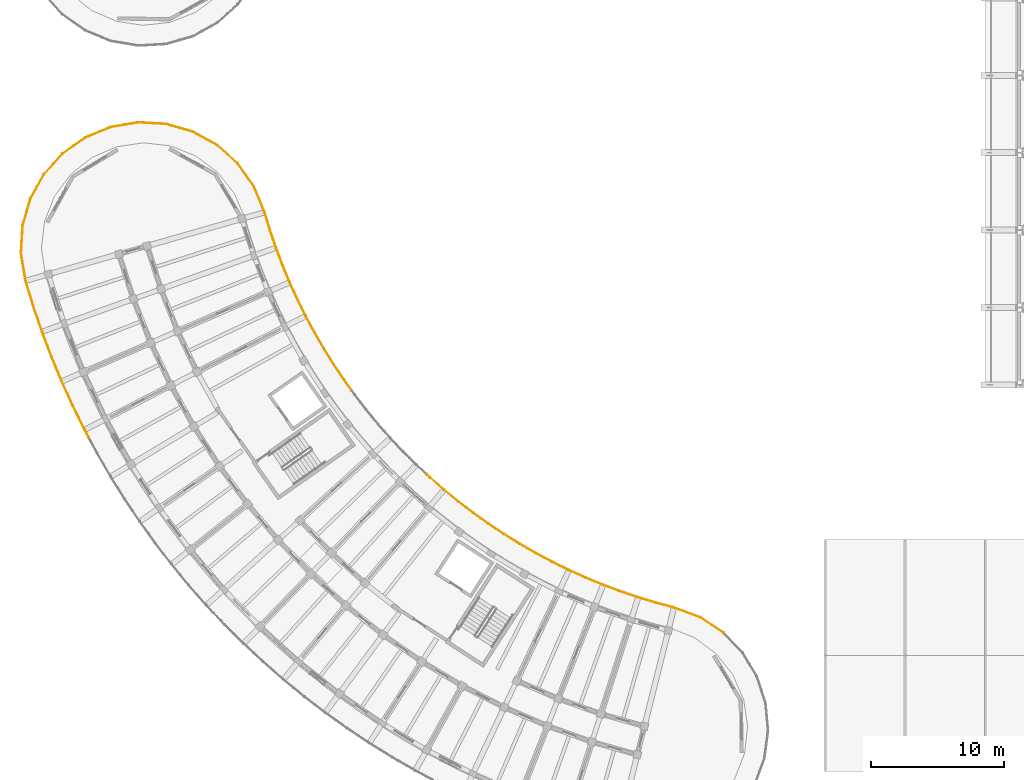
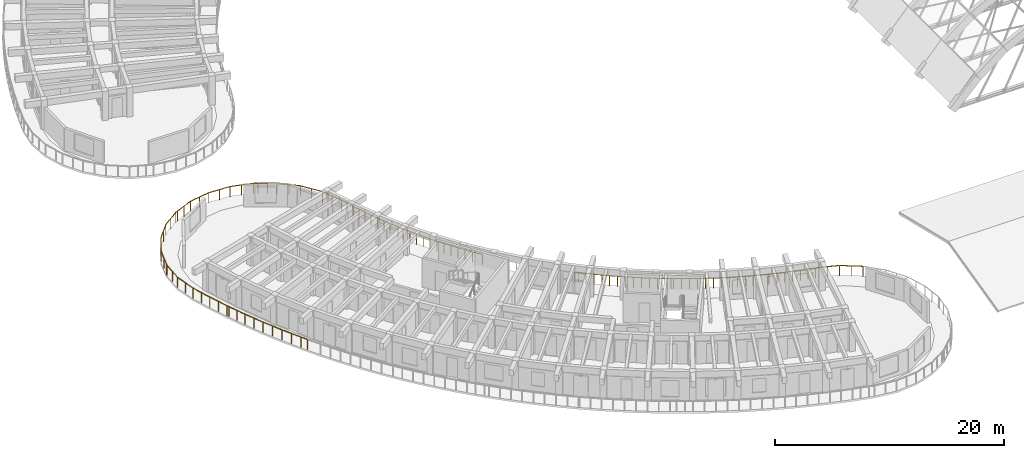
# One storey, part 68 of 81: 10 railings.
"""IFC4 building model written with IfcOpenShell, lengths in metres."""

from ifc_helpers import new_model, si_unit, direction, frame, origin, origin_2d, place, context, subcontext, project, spatial, circle, extrude, material, type_object, element, save


model = new_model("IFC4")

# Units and contexts
model_context = context("Model", 3, precision=1e-05, world=origin(), true_north=direction((0.0, 1.0)))
body_context = subcontext(model_context, "Body", "Model", "MODEL_VIEW")
ifc_project = project(units=[si_unit("LENGTHUNIT", "METRE"), si_unit("AREAUNIT", "SQUARE_METRE"), si_unit("VOLUMEUNIT", "CUBIC_METRE"), si_unit("PLANEANGLEUNIT", "RADIAN"), si_unit("MASSUNIT", "GRAM", prefix="KILO")], contexts=[model_context])

# Site, building, storey
site_placement = place(None, origin())
site = spatial("IfcSite", under=ifc_project, at=site_placement, CompositionType="ELEMENT")
building_placement = place(site_placement, origin())
building = spatial("IfcBuilding", under=site, at=building_placement, Name="Tanwirah Colonnade Gardens", CompositionType="ELEMENT")
storey_placement = place(building_placement, frame((0.0, 0.0, 8.840087890625)))
storey = spatial("IfcBuildingStorey", under=building, at=storey_placement, Name="L02", CompositionType="ELEMENT", Elevation=8.840087890625)

# Railings
ifc_material = material(Name="Precast concrete C40/50", Category="concrete")
railing_type = type_object("IfcRailingType", Name="BAL-EXT110", PredefinedType="BALUSTRADE", material=ifc_material)
railing_1_placement = place(storey_placement, frame((23.1767578125, 54.664794921875, 0.0)))
element("IfcRailing", 1, at=railing_1_placement, inside=storey, type_object=railing_type, Name="Block C L02 Balcony Ribbon Balustrade 1", PredefinedType="BALUSTRADE", context=body_context, shape_type="SweptSolid", body=[
    extrude(circle(Radius=0.02392578125, at=origin_2d()), frame((0.011962890625, -0.02880859375, 1.076171875), z_axis=(0.381489237895, -0.92437328032, 0.0), x_axis=(0.92437328032, 0.381489237895, 0.0)), (0.0, 0.0, 1.0), 2.029541015625),
    extrude(circle(Radius=0.02392578125, at=origin_2d()), frame((0.80712890625, -1.963623046875, 1.076171875), z_axis=(0.291308344694, -0.956629211509, 0.0), x_axis=(0.956629211509, 0.291308344694, 0.0)), (0.0, 0.0, 1.0), 1.327880859375),
    extrude(circle(Radius=0.02392578125, at=origin_2d()), frame((1.2138671875, -3.2958984375, 1.076171875), z_axis=(0.322420738552, -0.946596464895, 0.0), x_axis=(0.946596464895, 0.322420738552, 0.0)), (0.0, 0.0, 1.0), 1.33154296875),
    extrude(circle(Radius=0.02392578125, at=origin_2d()), frame((1.665283203125, -4.61767578125, 1.076171875), z_axis=(0.353291566317, -0.935513265095, 0.0), x_axis=(0.935513265095, 0.353291566317, 0.0)), (0.0, 0.0, 1.0), 1.331298828125),
    extrude(circle(Radius=0.02392578125, at=origin_2d()), frame((2.15966796875, -5.923583984375, 1.076171875), z_axis=(0.383707429873, -0.923454713703, 0.0), x_axis=(0.923454713703, 0.383707429873, 0.0)), (0.0, 0.0, 1.0), 1.33154296875),
    extrude(circle(Radius=0.02392578125, at=origin_2d()), frame((2.696533203125, -7.213134765625, 1.076171875), z_axis=(0.413892102149, -0.9103259459, 0.0), x_axis=(0.9103259459, 0.413892102149, 0.0)), (0.0, 0.0, 1.0), 0.7626953125),
    extrude(circle(Radius=0.02099609375, at=origin_2d()), origin(), (0.0, 0.0, 1.0), 1.049072265625),
    extrude(circle(Radius=0.02099609375, at=origin_2d()), frame((0.39892578125, -0.966796875, 0.0)), (0.0, 0.0, 1.0), 1.049072265625),
    extrude(circle(Radius=0.02099609375, at=origin_2d()), frame((0.798095703125, -1.933837890625, 0.0)), (0.0, 0.0, 1.0), 1.049072265625),
    extrude(circle(Radius=0.02099609375, at=origin_2d()), frame((1.00048828125, -2.598876953125, 0.0)), (0.0, 0.0, 1.0), 1.049072265625),
    extrude(circle(Radius=0.02099609375, at=origin_2d()), frame((1.203125, -3.263916015625, 0.0)), (0.0, 0.0, 1.0), 1.049072265625),
    extrude(circle(Radius=0.02099609375, at=origin_2d()), frame((1.4287109375, -3.92626953125, 0.0)), (0.0, 0.0, 1.0), 1.049072265625),
    extrude(circle(Radius=0.02099609375, at=origin_2d()), frame((1.6533203125, -4.5859375, 0.0)), (0.0, 0.0, 1.0), 1.049072265625),
    extrude(circle(Radius=0.02099609375, at=origin_2d()), frame((1.900390625, -5.240234375, 0.0)), (0.0, 0.0, 1.0), 1.049072265625),
    extrude(circle(Radius=0.02099609375, at=origin_2d()), frame((2.146728515625, -5.892333984375, 0.0)), (0.0, 0.0, 1.0), 1.049072265625),
    extrude(circle(Radius=0.02099609375, at=origin_2d()), frame((2.4150390625, -6.53857421875, 0.0)), (0.0, 0.0, 1.0), 1.049072265625),
    extrude(circle(Radius=0.02099609375, at=origin_2d()), frame((2.6826171875, -7.18212890625, 0.0)), (0.0, 0.0, 1.0), 1.049072265625),
    extrude(circle(Radius=0.02099609375, at=origin_2d()), frame((3.025146484375, -7.935791015625, 0.0)), (0.0, 0.0, 1.0), 1.049072265625),
])
railing_2_placement = place(storey_placement, frame((26.201904296875, 46.72900390625, 0.0)))
element("IfcRailing", 2, at=railing_2_placement, inside=storey, type_object=railing_type, Name="Block C L02 Balcony Ribbon Balustrade 2", PredefinedType="BALUSTRADE", context=body_context, shape_type="SweptSolid", body=[
    extrude(circle(Radius=0.02392578125, at=origin_2d()), frame((0.012939453125, -0.028564453125, 1.076171875), z_axis=(0.413414773503, -0.910542818899, 0.0), x_axis=(0.910542818899, 0.413414773503, 0.0)), (0.0, 0.0, 1.0), 0.506103515625),
    extrude(circle(Radius=0.02392578125, at=origin_2d()), frame((0.250244140625, -0.54833984375, 1.076171875), z_axis=(0.443286097627, -0.896380184771, 0.0), x_axis=(0.896380184771, 0.443286097627, 0.0)), (0.0, 0.0, 1.0), 1.33154296875),
    extrude(circle(Radius=0.02392578125, at=origin_2d()), frame((0.8701171875, -1.7998046875, 1.076171875), z_axis=(0.472323466806, -0.881425290484, 0.0), x_axis=(0.881425290484, 0.472323466806, 0.0)), (0.0, 0.0, 1.0), 1.33154296875),
    extrude(circle(Radius=0.02392578125, at=origin_2d()), frame((1.53076171875, -3.0302734375, 1.076171875), z_axis=(0.501015561301, -0.865438274711, 0.0), x_axis=(0.865438274711, 0.501015561301, 0.0)), (0.0, 0.0, 1.0), 1.33154296875),
    extrude(circle(Radius=0.02392578125, at=origin_2d()), frame((2.2314453125, -4.238525390625, 1.076171875), z_axis=(0.529022666758, -0.848607693847, 0.0), x_axis=(0.848607693847, 0.529022666758, 0.0)), (0.0, 0.0, 1.0), 1.33154296875),
    extrude(circle(Radius=0.02392578125, at=origin_2d()), frame((2.970947265625, -5.423095703125, 1.076171875), z_axis=(0.55655786635, -0.830808847692, 0.0), x_axis=(0.830808847692, 0.55655786635, 0.0)), (0.0, 0.0, 1.0), 1.33154296875),
    extrude(circle(Radius=0.02392578125, at=origin_2d()), frame((3.749267578125, -6.5830078125, 1.076171875), z_axis=(0.583385919087, -0.812195093196, 0.0), x_axis=(0.812195093196, 0.583385919087, 0.0)), (0.0, 0.0, 1.0), 0.8828125),
    extrude(circle(Radius=0.02099609375, at=origin_2d()), origin(), (0.0, 0.0, 1.0), 1.049072265625),
    extrude(circle(Radius=0.02099609375, at=origin_2d()), frame((0.235107421875, -0.517822265625, 0.0)), (0.0, 0.0, 1.0), 1.049072265625),
    extrude(circle(Radius=0.02099609375, at=origin_2d()), frame((0.54541015625, -1.14501953125, 0.0)), (0.0, 0.0, 1.0), 1.049072265625),
    extrude(circle(Radius=0.02099609375, at=origin_2d()), frame((0.854248046875, -1.769775390625, 0.0)), (0.0, 0.0, 1.0), 1.049072265625),
    extrude(circle(Radius=0.02099609375, at=origin_2d()), frame((1.1845703125, -2.38671875, 0.0)), (0.0, 0.0, 1.0), 1.049072265625),
    extrude(circle(Radius=0.02099609375, at=origin_2d()), frame((1.513916015625, -3.0009765625, 0.0)), (0.0, 0.0, 1.0), 1.049072265625),
    extrude(circle(Radius=0.02099609375, at=origin_2d()), frame((1.8642578125, -3.6064453125, 0.0)), (0.0, 0.0, 1.0), 1.049072265625),
    extrude(circle(Radius=0.02099609375, at=origin_2d()), frame((2.213623046875, -4.209716796875, 0.0)), (0.0, 0.0, 1.0), 1.049072265625),
    extrude(circle(Radius=0.02099609375, at=origin_2d()), frame((2.58349609375, -4.803466796875, 0.0)), (0.0, 0.0, 1.0), 1.049072265625),
    extrude(circle(Radius=0.02099609375, at=origin_2d()), frame((2.952392578125, -5.39501953125, 0.0)), (0.0, 0.0, 1.0), 1.049072265625),
    extrude(circle(Radius=0.02099609375, at=origin_2d()), frame((3.341552734375, -5.976318359375, 0.0)), (0.0, 0.0, 1.0), 1.049072265625),
    extrude(circle(Radius=0.02099609375, at=origin_2d()), frame((3.7294921875, -6.555419921875, 0.0)), (0.0, 0.0, 1.0), 1.049072265625),
    extrude(circle(Radius=0.02099609375, at=origin_2d()), frame((4.282470703125, -7.325439453125, 0.0)), (0.0, 0.0, 1.0), 1.049072265625),
])
railing_3_placement = place(storey_placement, frame((36.13134765625, 33.070068359375, 0.0)))
element("IfcRailing", 3, at=railing_3_placement, inside=storey, type_object=railing_type, Name="Block C L02 Balcony Ribbon Balustrade 4", PredefinedType="BALUSTRADE", context=body_context, shape_type="SweptSolid", body=[
    extrude(circle(Radius=0.02392578125, at=origin_2d()), frame((0.02294921875, -0.021240234375, 1.076171875), z_axis=(0.730857442629, -0.682530144795, 0.0), x_axis=(0.682530144795, 0.730857442629, 0.0)), (0.0, 0.0, 1.0), 0.265869140625),
    extrude(circle(Radius=0.02392578125, at=origin_2d()), frame((0.265380859375, -0.24658203125, 1.076171875), z_axis=(0.752565845379, -0.658517006894, 0.0), x_axis=(0.658517006894, 0.752565845379, 0.0)), (0.0, 0.0, 1.0), 1.33154296875),
    extrude(circle(Radius=0.02392578125, at=origin_2d()), frame((1.317138671875, -1.16552734375, 1.076171875), z_axis=(0.773762182392, -0.633476191424, 0.0), x_axis=(0.633476191424, 0.773762182392, 0.0)), (0.0, 0.0, 1.0), 1.33154296875),
    extrude(circle(Radius=0.02392578125, at=origin_2d()), frame((2.398681640625, -2.049560546875, 1.076171875), z_axis=(0.793969886309, -0.607957087001, 0.0), x_axis=(0.607957087001, 0.793969886309, 0.0)), (0.0, 0.0, 1.0), 1.331298828125),
    extrude(circle(Radius=0.02392578125, at=origin_2d()), frame((3.508056640625, -2.8974609375, 1.076171875), z_axis=(0.813473063063, -0.581602592558, 0.0), x_axis=(0.581602592558, 0.813473063063, 0.0)), (0.0, 0.0, 1.0), 1.33154296875),
    extrude(circle(Radius=0.02392578125, at=origin_2d()), frame((4.64501953125, -3.708984375, 1.076171875), z_axis=(0.832077237554, -0.554659779274, 0.0), x_axis=(0.554659779274, 0.832077237554, 0.0)), (0.0, 0.0, 1.0), 1.33154296875),
    extrude(circle(Radius=0.02392578125, at=origin_2d()), frame((5.8076171875, -4.482666015625, 1.076171875), z_axis=(0.849786479113, -0.527127062401, 0.0), x_axis=(0.527127062401, 0.849786479113, 0.0)), (0.0, 0.0, 1.0), 1.123046875),
    extrude(circle(Radius=0.02099609375, at=origin_2d()), origin(), (0.0, 0.0, 1.0), 1.049072265625),
    extrude(circle(Radius=0.02099609375, at=origin_2d()), frame((0.239990234375, -0.22412109375, 0.0)), (0.0, 0.0, 1.0), 1.049072265625),
    extrude(circle(Radius=0.02099609375, at=origin_2d()), frame((0.7666015625, -0.68505859375, 0.0)), (0.0, 0.0, 1.0), 1.049072265625),
    extrude(circle(Radius=0.02099609375, at=origin_2d()), frame((1.291015625, -1.14404296875, 0.0)), (0.0, 0.0, 1.0), 1.049072265625),
    extrude(circle(Radius=0.02099609375, at=origin_2d()), frame((1.832275390625, -1.58740234375, 0.0)), (0.0, 0.0, 1.0), 1.049072265625),
    extrude(circle(Radius=0.02099609375, at=origin_2d()), frame((2.37158203125, -2.02880859375, 0.0)), (0.0, 0.0, 1.0), 1.049072265625),
    extrude(circle(Radius=0.02099609375, at=origin_2d()), frame((2.92724609375, -2.4541015625, 0.0)), (0.0, 0.0, 1.0), 1.049072265625),
    extrude(circle(Radius=0.02099609375, at=origin_2d()), frame((3.48046875, -2.8779296875, 0.0)), (0.0, 0.0, 1.0), 1.049072265625),
    extrude(circle(Radius=0.02099609375, at=origin_2d()), frame((4.0498046875, -3.28466796875, 0.0)), (0.0, 0.0, 1.0), 1.049072265625),
    extrude(circle(Radius=0.02099609375, at=origin_2d()), frame((4.61669921875, -3.690185546875, 0.0)), (0.0, 0.0, 1.0), 1.049072265625),
    extrude(circle(Radius=0.02099609375, at=origin_2d()), frame((5.19873046875, -4.078125, 0.0)), (0.0, 0.0, 1.0), 1.049072265625),
    extrude(circle(Radius=0.02099609375, at=origin_2d()), frame((5.77880859375, -4.46484375, 0.0)), (0.0, 0.0, 1.0), 1.049072265625),
    extrude(circle(Radius=0.02099609375, at=origin_2d()), frame((6.78857421875, -5.09130859375, 0.0)), (0.0, 0.0, 1.0), 1.049072265625),
])
railing_4_placement = place(storey_placement, frame((42.919921875, 27.978759765625, 0.0)))
element("IfcRailing", 4, at=railing_4_placement, inside=storey, type_object=railing_type, Name="Block C L02 Balcony Ribbon Balustrade 5", PredefinedType="BALUSTRADE", context=body_context, shape_type="SweptSolid", body=[
    extrude(circle(Radius=0.02392578125, at=origin_2d()), frame((0.026611328125, -0.0166015625, 1.076171875), z_axis=(0.849640166198, -0.527362861778, 0.0), x_axis=(0.527362861778, 0.849640166198, 0.0)), (0.0, 0.0, 1.0), 0.145751953125),
    extrude(circle(Radius=0.02392578125, at=origin_2d()), frame((0.206298828125, -0.126708984375, 1.076171875), z_axis=(0.866535241782, -0.499115893104, 0.0), x_axis=(0.499115893104, 0.866535241782, 0.0)), (0.0, 0.0, 1.0), 1.33154296875),
    extrude(circle(Radius=0.02392578125, at=origin_2d()), frame((1.417236328125, -0.82275390625, 1.076171875), z_axis=(0.88242081136, -0.470460956593, 0.0), x_axis=(0.470460956593, 0.88242081136, 0.0)), (0.0, 0.0, 1.0), 1.331298828125),
    extrude(circle(Radius=0.02392578125, at=origin_2d()), frame((2.650146484375, -1.47900390625, 1.076171875), z_axis=(0.897349966121, -0.441319655469, 0.0), x_axis=(0.441319655469, 0.897349966121, 0.0)), (0.0, 0.0, 1.0), 1.33154296875),
    extrude(circle(Radius=0.02392578125, at=origin_2d()), frame((3.90380859375, -2.094482421875, 1.076171875), z_axis=(0.911383314029, -0.411558568018, 0.0), x_axis=(0.411558568018, 0.911383314029, 0.0)), (0.0, 0.0, 1.0), 1.33154296875),
    extrude(circle(Radius=0.02392578125, at=origin_2d()), frame((5.177001953125, -2.66845703125, 1.076171875), z_axis=(0.924300384608, -0.381665821122, 0.0), x_axis=(0.381665821122, 0.924300384608, 0.0)), (0.0, 0.0, 1.0), 1.331298828125),
    extrude(circle(Radius=0.02392578125, at=origin_2d()), frame((6.46826171875, -3.200439453125, 1.076171875), z_axis=(0.936267698759, -0.351287341447, 0.0), x_axis=(0.351287341447, 0.936267698759, 0.0)), (0.0, 0.0, 1.0), 1.243408203125),
    extrude(circle(Radius=0.02099609375, at=origin_2d()), origin(), (0.0, 0.0, 1.0), 1.049072265625),
    extrude(circle(Radius=0.02099609375, at=origin_2d()), frame((0.177001953125, -0.10986328125, 0.0)), (0.0, 0.0, 1.0), 1.049072265625),
    extrude(circle(Radius=0.02099609375, at=origin_2d()), frame((0.783203125, -0.458984375, 0.0)), (0.0, 0.0, 1.0), 1.049072265625),
    extrude(circle(Radius=0.02099609375, at=origin_2d()), frame((1.38720703125, -0.806884765625, 0.0)), (0.0, 0.0, 1.0), 1.049072265625),
    extrude(circle(Radius=0.02099609375, at=origin_2d()), frame((2.004638671875, -1.135986328125, 0.0)), (0.0, 0.0, 1.0), 1.049072265625),
    extrude(circle(Radius=0.02099609375, at=origin_2d()), frame((2.61962890625, -1.4638671875, 0.0)), (0.0, 0.0, 1.0), 1.049072265625),
    extrude(circle(Radius=0.02099609375, at=origin_2d()), frame((3.24755859375, -1.772705078125, 0.0)), (0.0, 0.0, 1.0), 1.049072265625),
    extrude(circle(Radius=0.02099609375, at=origin_2d()), frame((3.873046875, -2.080322265625, 0.0)), (0.0, 0.0, 1.0), 1.049072265625),
    extrude(circle(Radius=0.02099609375, at=origin_2d()), frame((4.510498046875, -2.368408203125, 0.0)), (0.0, 0.0, 1.0), 1.049072265625),
    extrude(circle(Radius=0.02099609375, at=origin_2d()), frame((5.145751953125, -2.6552734375, 0.0)), (0.0, 0.0, 1.0), 1.049072265625),
    extrude(circle(Radius=0.02099609375, at=origin_2d()), frame((5.79248046875, -2.92236328125, 0.0)), (0.0, 0.0, 1.0), 1.049072265625),
    extrude(circle(Radius=0.02099609375, at=origin_2d()), frame((6.4365234375, -3.1884765625, 0.0)), (0.0, 0.0, 1.0), 1.049072265625),
    extrude(circle(Radius=0.02099609375, at=origin_2d()), frame((7.66162109375, -3.648193359375, 0.0)), (0.0, 0.0, 1.0), 1.049072265625),
])
railing_5_placement = place(storey_placement, frame((50.58154296875, 24.33056640625, 0.0)))
element("IfcRailing", 5, at=railing_5_placement, inside=storey, type_object=railing_type, Name="Block C L02 Balcony Ribbon Balustrade 6", PredefinedType="BALUSTRADE", context=body_context, shape_type="SweptSolid", body=[
    extrude(circle(Radius=0.02392578125, at=origin_2d()), frame((0.029296875, -0.010986328125, 1.076171875), z_axis=(0.937010964775, -0.349299945449, 0.0), x_axis=(0.349299945449, 0.937010964775, 0.0)), (0.0, 0.0, 1.0), 0.025634765625),
    extrude(circle(Radius=0.02392578125, at=origin_2d()), frame((0.114501953125, -0.041748046875, 1.076171875), z_axis=(0.947255234668, -0.320480140404, 0.0), x_axis=(0.320480140404, 0.947255234668, 0.0)), (0.0, 0.0, 1.0), 1.33154296875),
    extrude(circle(Radius=0.02392578125, at=origin_2d()), frame((1.438232421875, -0.48828125, 1.076171875), z_axis=(0.957270084886, -0.289195408993, 0.0), x_axis=(0.289195408993, 0.957270084886, 0.0)), (0.0, 0.0, 1.0), 1.331298828125),
    extrude(circle(Radius=0.02392578125, at=origin_2d()), frame((2.775390625, -0.89111328125, 1.076171875), z_axis=(0.96619995466, -0.257793808332, 0.0), x_axis=(0.257793808332, 0.96619995466, 0.0)), (0.0, 0.0, 1.0), 1.32763671875),
    extrude(circle(Radius=0.02392578125, at=origin_2d()), frame((4.11767578125, -1.25244140625, 1.076171875), z_axis=(0.937103821965, -0.349050751121, 0.0), x_axis=(0.349050751121, 0.937103821965, 0.0)), (0.0, 0.0, 1.0), 2.029541015625),
    extrude(circle(Radius=0.02392578125, at=origin_2d()), frame((6.074951171875, -1.98876953125, 1.076171875), z_axis=(0.835935529347, -0.548827651248, 0.0), x_axis=(0.548827651248, 0.835935529347, 0.0)), (0.0, 0.0, 1.0), 2.024169921875),
    extrude(circle(Radius=0.02099609375, at=origin_2d()), origin(), (0.0, 0.0, 1.0), 1.049072265625),
    extrude(circle(Radius=0.02099609375, at=origin_2d()), frame((0.08251953125, -0.03076171875, 0.0)), (0.0, 0.0, 1.0), 1.049072265625),
    extrude(circle(Radius=0.02099609375, at=origin_2d()), frame((0.7451171875, -0.255126953125, 0.0)), (0.0, 0.0, 1.0), 1.049072265625),
    extrude(circle(Radius=0.02099609375, at=origin_2d()), frame((1.405517578125, -0.478515625, 0.0)), (0.0, 0.0, 1.0), 1.049072265625),
    extrude(circle(Radius=0.02099609375, at=origin_2d()), frame((2.0751953125, -0.6806640625, 0.0)), (0.0, 0.0, 1.0), 1.049072265625),
    extrude(circle(Radius=0.02099609375, at=origin_2d()), frame((2.742431640625, -0.88232421875, 0.0)), (0.0, 0.0, 1.0), 1.049072265625),
    extrude(circle(Radius=0.02099609375, at=origin_2d()), frame((3.416748046875, -1.062255859375, 0.0)), (0.0, 0.0, 1.0), 1.049072265625),
    extrude(circle(Radius=0.02099609375, at=origin_2d()), frame((4.08837890625, -1.241455078125, 0.0)), (0.0, 0.0, 1.0), 1.049072265625),
    extrude(circle(Radius=0.02099609375, at=origin_2d()), frame((5.068603515625, -1.6064453125, 0.0)), (0.0, 0.0, 1.0), 1.049072265625),
    extrude(circle(Radius=0.02099609375, at=origin_2d()), frame((6.048828125, -1.9716796875, 0.0)), (0.0, 0.0, 1.0), 1.049072265625),
    extrude(circle(Radius=0.02099609375, at=origin_2d()), frame((6.9208984375, -2.54443359375, 0.0)), (0.0, 0.0, 1.0), 1.049072265625),
    extrude(circle(Radius=0.02099609375, at=origin_2d()), frame((7.793212890625, -3.116943359375, 0.0)), (0.0, 0.0, 1.0), 1.049072265625),
])
railing_6_placement = place(storey_placement, frame((10.80078125, 35.834716796875, 0.0)))
element("IfcRailing", 6, at=railing_6_placement, inside=storey, type_object=railing_type, Name="Block C L02 Balcony Ribbon Balustrade 16", PredefinedType="BALUSTRADE", context=body_context, shape_type="SweptSolid", body=[
    extrude(circle(Radius=0.02392578125, at=origin_2d()), frame((-0.0146484375, 0.027587890625, 1.076171875), z_axis=(-0.472201112316, 0.881490844835, 0.0), x_axis=(-0.881490844835, -0.472201112316, 0.0)), (0.0, 0.0, 1.0), 0.60498046875),
    extrude(circle(Radius=0.02392578125, at=origin_2d()), frame((-0.3291015625, 0.616455078125, 1.076171875), z_axis=(-0.443316350815, 0.896365223054, 0.0), x_axis=(-0.896365223054, -0.443316350815, 0.0)), (0.0, 0.0, 1.0), 1.9443359375),
    extrude(circle(Radius=0.02392578125, at=origin_2d()), frame((-1.2177734375, 2.415771484375, 1.076171875), z_axis=(-0.413665439989, 0.910428966893, 0.0), x_axis=(-0.910428966893, -0.413665439989, 0.0)), (0.0, 0.0, 1.0), 1.944091796875),
    extrude(circle(Radius=0.02392578125, at=origin_2d()), frame((-2.046875, 4.242919921875, 1.076171875), z_axis=(-0.383777149523, 0.923425741196, 0.0), x_axis=(-0.923425741196, -0.383777149523, 0.0)), (0.0, 0.0, 1.0), 1.94384765625),
    extrude(circle(Radius=0.02392578125, at=origin_2d()), frame((-2.81591796875, 6.09619140625, 1.076171875), z_axis=(-0.353159580161, 0.935563098321, 0.0), x_axis=(-0.935563098321, -0.353159580161, 0.0)), (0.0, 0.0, 1.0), 1.75),
    extrude(circle(Radius=0.02099609375, at=origin_2d()), origin(), (0.0, 0.0, 1.0), 1.049072265625),
    extrude(circle(Radius=0.02099609375, at=origin_2d()), frame((-0.315185546875, 0.58837890625, 0.0)), (0.0, 0.0, 1.0), 1.049072265625),
    extrude(circle(Radius=0.02099609375, at=origin_2d()), frame((-0.760009765625, 1.48779296875, 0.0)), (0.0, 0.0, 1.0), 1.049072265625),
    extrude(circle(Radius=0.02099609375, at=origin_2d()), frame((-1.204833984375, 2.38720703125, 0.0)), (0.0, 0.0, 1.0), 1.049072265625),
    extrude(circle(Radius=0.02099609375, at=origin_2d()), frame((-1.619873046875, 3.30078125, 0.0)), (0.0, 0.0, 1.0), 1.049072265625),
    extrude(circle(Radius=0.02099609375, at=origin_2d()), frame((-2.034912109375, 4.214111328125, 0.0)), (0.0, 0.0, 1.0), 1.049072265625),
    extrude(circle(Radius=0.02099609375, at=origin_2d()), frame((-2.419921875, 5.140625, 0.0)), (0.0, 0.0, 1.0), 1.049072265625),
    extrude(circle(Radius=0.02099609375, at=origin_2d()), frame((-2.804931640625, 6.06689453125, 0.0)), (0.0, 0.0, 1.0), 1.049072265625),
    extrude(circle(Radius=0.02099609375, at=origin_2d()), frame((-3.125, 6.914794921875, 0.0)), (0.0, 0.0, 1.0), 1.049072265625),
    extrude(circle(Radius=0.02099609375, at=origin_2d()), frame((-3.445068359375, 7.7626953125, 0.0)), (0.0, 0.0, 1.0), 1.049072265625),
])
railing_7_placement = place(storey_placement, frame((7.355712890625, 43.597412109375, 0.0)))
element("IfcRailing", 7, at=railing_7_placement, inside=storey, type_object=railing_type, Name="Block C L02 Balcony Ribbon Balustrade 17", PredefinedType="BALUSTRADE", context=body_context, shape_type="SweptSolid", body=[
    extrude(circle(Radius=0.02392578125, at=origin_2d()), frame((-0.010986328125, 0.029296875, 1.076171875), z_axis=(-0.353327210697, 0.935499803411, 0.0), x_axis=(-0.935499803411, -0.353327210697, 0.0)), (0.0, 0.0, 1.0), 0.131591796875),
    extrude(circle(Radius=0.02392578125, at=origin_2d()), frame((-0.07861328125, 0.211181640625, 1.076171875), z_axis=(-0.322426184604, 0.946594609895, 0.0), x_axis=(-0.946594609895, -0.322426184604, 0.0)), (0.0, 0.0, 1.0), 1.944091796875),
    extrude(circle(Radius=0.02392578125, at=origin_2d()), frame((-0.724609375, 2.11083984375, 1.076171875), z_axis=(-0.291360501176, 0.956613327502, 0.0), x_axis=(-0.956613327502, -0.291360501176, 0.0)), (0.0, 0.0, 1.0), 1.940185546875),
    extrude(circle(Radius=0.02392578125, at=origin_2d()), frame((-1.30419921875, 4.027587890625, 1.076171875), z_axis=(-0.166273240714, 0.98607971758, 0.0), x_axis=(-0.98607971758, -0.166273240714, 0.0)), (0.0, 0.0, 1.0), 2.0283203125),
    extrude(circle(Radius=0.02392578125, at=origin_2d()), frame((-1.64501953125, 6.08984375, 1.076171875), z_axis=(0.057322977065, 0.998355686266, 0.0), x_axis=(-0.998355686266, 0.057322977065, 0.0)), (0.0, 0.0, 1.0), 2.0244140625),
    extrude(circle(Radius=0.02392578125, at=origin_2d()), frame((-1.518310546875, 8.172119140625, 1.076171875), z_axis=(0.277708416947, 0.960665412699, 0.0), x_axis=(-0.960665412699, 0.277708416947, 0.0)), (0.0, 0.0, 1.0), 0.05615234375),
    extrude(circle(Radius=0.02099609375, at=origin_2d()), origin(), (0.0, 0.0, 1.0), 1.049072265625),
    extrude(circle(Radius=0.02099609375, at=origin_2d()), frame((-0.068603515625, 0.181640625, 0.0)), (0.0, 0.0, 1.0), 1.049072265625),
    extrude(circle(Radius=0.02099609375, at=origin_2d()), frame((-0.39208984375, 1.13134765625, 0.0)), (0.0, 0.0, 1.0), 1.049072265625),
    extrude(circle(Radius=0.02099609375, at=origin_2d()), frame((-0.715576171875, 2.0810546875, 0.0)), (0.0, 0.0, 1.0), 1.049072265625),
    extrude(circle(Radius=0.02099609375, at=origin_2d()), frame((-1.00732421875, 3.0390625, 0.0)), (0.0, 0.0, 1.0), 1.049072265625),
    extrude(circle(Radius=0.02099609375, at=origin_2d()), frame((-1.299072265625, 3.996826171875, 0.0)), (0.0, 0.0, 1.0), 1.049072265625),
    extrude(circle(Radius=0.02099609375, at=origin_2d()), frame((-1.472900390625, 5.02783203125, 0.0)), (0.0, 0.0, 1.0), 1.049072265625),
    extrude(circle(Radius=0.02099609375, at=origin_2d()), frame((-1.646728515625, 6.05859375, 0.0)), (0.0, 0.0, 1.0), 1.049072265625),
    extrude(circle(Radius=0.02099609375, at=origin_2d()), frame((-1.5869140625, 7.100341796875, 0.0)), (0.0, 0.0, 1.0), 1.049072265625),
    extrude(circle(Radius=0.02099609375, at=origin_2d()), frame((-1.527099609375, 8.14208984375, 0.0)), (0.0, 0.0, 1.0), 1.049072265625),
    extrude(circle(Radius=0.02099609375, at=origin_2d()), frame((-1.494140625, 8.256103515625, 0.0)), (0.0, 0.0, 1.0), 1.049072265625),
])
railing_8_placement = place(storey_placement, frame((5.861572265625, 51.853515625, 0.0)))
element("IfcRailing", 8, at=railing_8_placement, inside=storey, type_object=railing_type, Name="Block C L02 Balcony Ribbon Balustrade 18", PredefinedType="BALUSTRADE", context=body_context, shape_type="SweptSolid", body=[
    extrude(circle(Radius=0.02392578125, at=origin_2d()), frame((0.0087890625, 0.030029296875, 1.076171875), z_axis=(0.278012892346, 0.960577342898, 0.0), x_axis=(-0.960577342898, 0.278012892346, 0.0)), (0.0, 0.0, 1.0), 1.905517578125),
    extrude(circle(Radius=0.02392578125, at=origin_2d()), frame((0.562255859375, 1.917724609375, 1.076171875), z_axis=(0.484758723036, 0.874647917988, 0.0), x_axis=(-0.874647917988, 0.484758723036, 0.0)), (0.0, 0.0, 1.0), 2.0244140625),
    extrude(circle(Radius=0.02392578125, at=origin_2d()), frame((1.57958984375, 3.739013671875, 1.076171875), z_axis=(0.667321336148, 0.744769920393, 0.0), x_axis=(-0.744769920393, 0.667321336148, 0.0)), (0.0, 0.0, 1.0), 2.0244140625),
    extrude(circle(Radius=0.02392578125, at=origin_2d()), frame((2.97705078125, 5.2880859375, 1.076171875), z_axis=(0.816286486525, 0.577647272924, 0.0), x_axis=(-0.577647272924, 0.816286486525, 0.0)), (0.0, 0.0, 1.0), 2.0244140625),
    extrude(circle(Radius=0.02392578125, at=origin_2d()), frame((4.683837890625, 6.487548828125, 1.076171875), z_axis=(0.924323547442, 0.381609721631, 0.0), x_axis=(-0.381609721631, 0.924323547442, 0.0)), (0.0, 0.0, 1.0), 0.208740234375),
    extrude(circle(Radius=0.02099609375, at=origin_2d()), origin(), (0.0, 0.0, 1.0), 1.049072265625),
    extrude(circle(Radius=0.02099609375, at=origin_2d()), frame((0.2734375, 0.9453125, 0.0)), (0.0, 0.0, 1.0), 1.049072265625),
    extrude(circle(Radius=0.02099609375, at=origin_2d()), frame((0.547119140625, 1.890380859375, 0.0)), (0.0, 0.0, 1.0), 1.049072265625),
    extrude(circle(Radius=0.02099609375, at=origin_2d()), frame((1.052978515625, 2.80322265625, 0.0)), (0.0, 0.0, 1.0), 1.049072265625),
    extrude(circle(Radius=0.02099609375, at=origin_2d()), frame((1.558837890625, 3.7158203125, 0.0)), (0.0, 0.0, 1.0), 1.049072265625),
    extrude(circle(Radius=0.02099609375, at=origin_2d()), frame((2.255126953125, 4.492919921875, 0.0)), (0.0, 0.0, 1.0), 1.049072265625),
    extrude(circle(Radius=0.02099609375, at=origin_2d()), frame((2.951416015625, 5.27001953125, 0.0)), (0.0, 0.0, 1.0), 1.049072265625),
    extrude(circle(Radius=0.02099609375, at=origin_2d()), frame((3.80322265625, 5.872802734375, 0.0)), (0.0, 0.0, 1.0), 1.049072265625),
    extrude(circle(Radius=0.02099609375, at=origin_2d()), frame((4.655029296875, 6.4755859375, 0.0)), (0.0, 0.0, 1.0), 1.049072265625),
    extrude(circle(Radius=0.02099609375, at=origin_2d()), frame((4.90576171875, 6.5791015625, 0.0)), (0.0, 0.0, 1.0), 1.049072265625),
])
railing_9_placement = place(storey_placement, frame((10.767333984375, 58.4326171875, 0.0)))
element("IfcRailing", 9, at=railing_9_placement, inside=storey, type_object=railing_type, Name="Block C L02 Balcony Ribbon Balustrade 19", PredefinedType="BALUSTRADE", context=body_context, shape_type="SweptSolid", body=[
    extrude(circle(Radius=0.02392578125, at=origin_2d()), frame((0.02880859375, 0.011962890625, 1.076171875), z_axis=(0.92436866453, 0.381500422064, 0.0), x_axis=(-0.381500422064, 0.92436866453, 0.0)), (0.0, 0.0, 1.0), 1.7529296875),
    extrude(circle(Radius=0.02392578125, at=origin_2d()), frame((1.708984375, 0.69775390625, 1.076171875), z_axis=(0.986066327641, 0.166352629957, 0.0), x_axis=(-0.166352629957, 0.986066327641, 0.0)), (0.0, 0.0, 1.0), 2.0244140625),
    extrude(circle(Radius=0.02392578125, at=origin_2d()), frame((3.767333984375, 1.0380859375, 1.076171875), z_axis=(0.998355686266, -0.057322977065, 0.0), x_axis=(0.057322977065, 0.998355686266, 0.0)), (0.0, 0.0, 1.0), 2.0244140625),
    extrude(circle(Radius=0.02392578125, at=origin_2d()), frame((5.849609375, 0.911376953125, 1.076171875), z_axis=(0.960560153031, -0.278072279108, 0.0), x_axis=(0.278072279108, 0.960560153031, 0.0)), (0.0, 0.0, 1.0), 2.0244140625),
    extrude(circle(Radius=0.02392578125, at=origin_2d()), frame((7.8515625, 0.32470703125, 1.076171875), z_axis=(0.874592040268, -0.484859529245, 0.0), x_axis=(0.484859529245, 0.874592040268, 0.0)), (0.0, 0.0, 1.0), 0.36083984375),
    extrude(circle(Radius=0.02099609375, at=origin_2d()), origin(), (0.0, 0.0, 1.0), 1.049072265625),
    extrude(circle(Radius=0.02099609375, at=origin_2d()), frame((0.839111328125, 0.34619140625, 0.0)), (0.0, 0.0, 1.0), 1.049072265625),
    extrude(circle(Radius=0.02099609375, at=origin_2d()), frame((1.67822265625, 0.692626953125, 0.0)), (0.0, 0.0, 1.0), 1.049072265625),
    extrude(circle(Radius=0.02099609375, at=origin_2d()), frame((2.70703125, 0.8662109375, 0.0)), (0.0, 0.0, 1.0), 1.049072265625),
    extrude(circle(Radius=0.02099609375, at=origin_2d()), frame((3.736083984375, 1.039794921875, 0.0)), (0.0, 0.0, 1.0), 1.049072265625),
    extrude(circle(Radius=0.02099609375, at=origin_2d()), frame((4.77783203125, 0.97998046875, 0.0)), (0.0, 0.0, 1.0), 1.049072265625),
    extrude(circle(Radius=0.02099609375, at=origin_2d()), frame((5.819580078125, 0.920166015625, 0.0)), (0.0, 0.0, 1.0), 1.049072265625),
    extrude(circle(Radius=0.02099609375, at=origin_2d()), frame((6.82177734375, 0.6298828125, 0.0)), (0.0, 0.0, 1.0), 1.049072265625),
    extrude(circle(Radius=0.02099609375, at=origin_2d()), frame((7.82421875, 0.33984375, 0.0)), (0.0, 0.0, 1.0), 1.049072265625),
    extrude(circle(Radius=0.02099609375, at=origin_2d()), frame((8.194580078125, 0.134521484375, 0.0)), (0.0, 0.0, 1.0), 1.049072265625),
])
railing_10_placement = place(storey_placement, frame((18.9619140625, 58.567138671875, 0.0)))
element("IfcRailing", 10, at=railing_10_placement, inside=storey, type_object=railing_type, Name="Block C L02 Balcony Ribbon Balustrade 20", PredefinedType="BALUSTRADE", context=body_context, shape_type="SweptSolid", body=[
    extrude(circle(Radius=0.02392578125, at=origin_2d()), frame((0.02734375, -0.01513671875, 1.076171875), z_axis=(0.874627650651, -0.484795289495, 0.0), x_axis=(0.484795289495, 0.874627650651, 0.0)), (0.0, 0.0, 1.0), 1.600830078125),
    extrude(circle(Radius=0.02392578125, at=origin_2d()), frame((1.47802734375, -0.8271484375, 1.076171875), z_axis=(0.744822012119, -0.667263194146, 0.0), x_axis=(0.667263194146, 0.744822012119, 0.0)), (0.0, 0.0, 1.0), 2.0244140625),
    extrude(circle(Radius=0.02392578125, at=origin_2d()), frame((3.02734375, -2.224609375, 1.076171875), z_axis=(0.577702435947, -0.81624744747, 0.0), x_axis=(0.81624744747, 0.577702435947, 0.0)), (0.0, 0.0, 1.0), 2.0244140625),
    extrude(circle(Radius=0.02099609375, at=origin_2d()), origin(), (0.0, 0.0, 1.0), 1.049072265625),
    extrude(circle(Radius=0.02099609375, at=origin_2d()), frame((0.7275390625, -0.4033203125, 0.0)), (0.0, 0.0, 1.0), 1.049072265625),
    extrude(circle(Radius=0.02099609375, at=origin_2d()), frame((1.454833984375, -0.806396484375, 0.0)), (0.0, 0.0, 1.0), 1.049072265625),
    extrude(circle(Radius=0.02099609375, at=origin_2d()), frame((2.23193359375, -1.502685546875, 0.0)), (0.0, 0.0, 1.0), 1.049072265625),
    extrude(circle(Radius=0.02099609375, at=origin_2d()), frame((3.00927734375, -2.198974609375, 0.0)), (0.0, 0.0, 1.0), 1.049072265625),
    extrude(circle(Radius=0.02099609375, at=origin_2d()), frame((3.612060546875, -3.05078125, 0.0)), (0.0, 0.0, 1.0), 1.049072265625),
    extrude(circle(Radius=0.02099609375, at=origin_2d()), frame((4.21484375, -3.90234375, 0.0)), (0.0, 0.0, 1.0), 1.049072265625),
])

save(model, "model.ifc")
